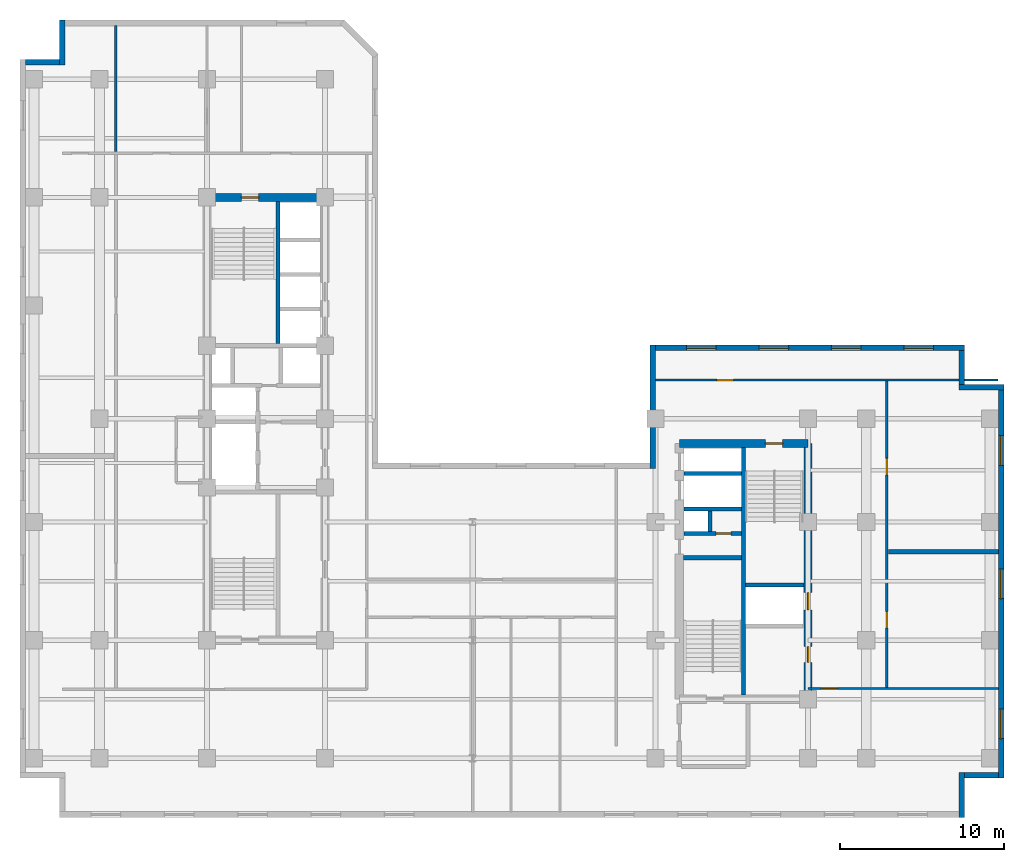
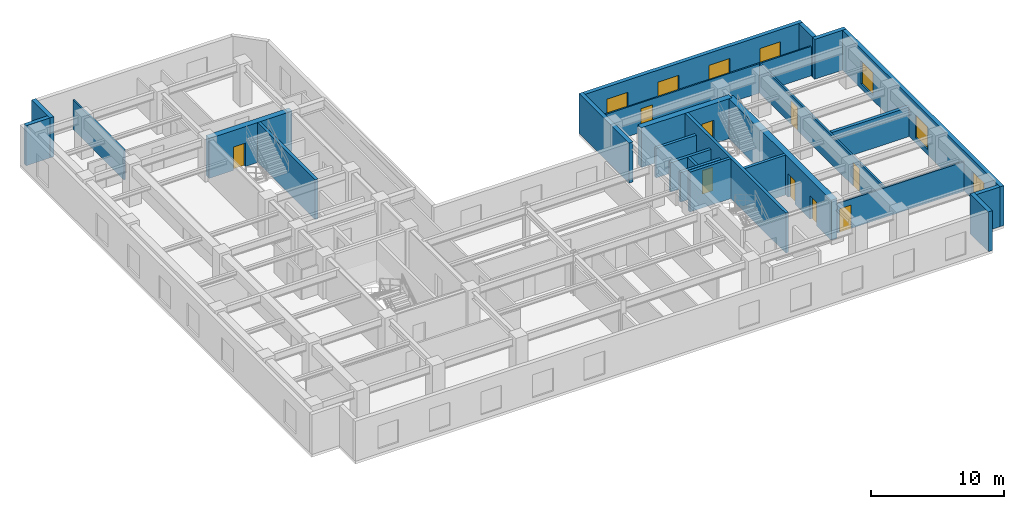
# One storey, part 5 of 9: 25 walls, 9 doors, 7 windows, 16 openings.
"""IFC4 building model written with IfcOpenShell, lengths in metres."""

from ifc_helpers import new_model, entity, si_unit, converted_unit, direction, frame, origin_with_axes, origin_2d_with_axis, place, context, subcontext, project, spatial, polyline, rectangle, outline, extrude, material, layer, layer_set, type_object, element, fill, save


model = new_model("IFC4")

# Units and contexts
model_context = context("Model", 3, precision=1e-05, world=origin_with_axes(), true_north=direction((0.0, 1.0)))
body_context = subcontext(model_context, "Body", "Model", "MODEL_VIEW")
ifc_project = project(units=[si_unit("LENGTHUNIT", "METRE"), si_unit("AREAUNIT", "SQUARE_METRE"), si_unit("VOLUMEUNIT", "CUBIC_METRE"), converted_unit("PLANEANGLEUNIT", "DEGREE", entity("IfcPlaneAngleMeasure", 0.017453292519943295), si_unit("PLANEANGLEUNIT", "RADIAN"), dimensions=[0, 0, 0, 0, 0, 0, 0]), si_unit("MASSUNIT", "GRAM", prefix="KILO"), si_unit("THERMODYNAMICTEMPERATUREUNIT", "KELVIN")], contexts=[model_context])

# Site, building, storey
site_placement = place(None, origin_with_axes())
site = spatial("IfcSite", under=ifc_project, at=site_placement, CompositionType="ELEMENT")
building_placement = place(site_placement, origin_with_axes())
building = spatial("IfcBuilding", under=site, at=building_placement, Name="Varnlund Millrace Tower", CompositionType="ELEMENT")
storey_placement = place(building_placement, frame((0.0, 0.0, 136.8), z_axis=(0.0, 0.0, 1.0), x_axis=(1.0, 0.0, 0.0)))
storey = spatial("IfcBuildingStorey", under=building, at=storey_placement, Name="L33", CompositionType="ELEMENT", Elevation=136.8)

# Wall, opening, door
ifc_material_1 = material(Name="Concrete C70/85", Category="concrete")
ifc_layer_1 = layer(ifc_material_1, 0.5, Name="Concrete C70/85")
ifc_layer_set_1 = layer_set([ifc_layer_1], Name="Concrete C70/85")
wall_type_1 = type_object("IfcWallType", Name="Type-CoreWall-Shear-500-C70", PredefinedType="SHEAR", material=ifc_layer_set_1)
wall_1_placement = place(storey_placement, frame((11.4, 37.8, 0.0), z_axis=(0.0, 0.0, 1.0), x_axis=(1.0, 0.0, 0.0)))
wall_1 = element("IfcWall", 1, at=wall_1_placement, inside=storey, type_object=wall_type_1, Name="Type-CoreWall-Shear-500-C70", PredefinedType="SHEAR", context=body_context, shape_type="SweptSolid", body=[
    extrude(outline(polyline([(0.0, -0.25), (7.2, -0.25), (7.2, 0.25), (0.0, 0.25), (0.0, -0.25)])), origin_with_axes(), (0.0, 0.0, 1.0), 3.66),
])
opening_1_placement = place(wall_1_placement, frame((2.625, 0.0, 0.0), z_axis=(0.0, 0.0, 1.0), x_axis=(1.0, 0.0, 0.0)))
opening_1 = element("IfcOpeningElement", 2, at=opening_1_placement, cuts=wall_1, Name="Opening L33:DR-STA2", PredefinedType="OPENING", context=body_context, shape_type="SweptSolid", body=[
    extrude(rectangle(XDim=1.05, YDim=0.52, at=origin_2d_with_axis()), origin_with_axes(), (0.0, 0.0, 1.0), 2.15),
])
ifc_material_2 = material(Name="Fire-rated hollow steel door", Category="steel")
door_type_1 = type_object("IfcDoorType", Name="Type-FireDoor-Stair-1050X2150", OperationType="NOTDEFINED", PredefinedType="DOOR", material=ifc_material_2)
door_1_placement = place(wall_1_placement, frame((2.625, 0.0, 0.0), z_axis=(0.0, 0.0, 1.0), x_axis=(1.0, 0.0, 0.0)))
door_1 = element("IfcDoor", 3, at=door_1_placement, inside=storey, type_object=door_type_1, Name="Type-FireDoor-Stair-1050X2150", OperationType="SINGLE_SWING_RIGHT", OverallHeight=2.15, OverallWidth=1.05, PredefinedType="DOOR", context=body_context, shape_type="SweptSolid", body=[
    extrude(rectangle(XDim=1.05, YDim=0.09, at=origin_2d_with_axis()), origin_with_axes(), (0.0, 0.0, 1.0), 2.15),
])
fill(opening_1, door_1)

wall_2_placement = place(storey_placement, frame((40.2, 22.8, 0.0), z_axis=(0.0, 0.0, 1.0), x_axis=(1.0, 0.0, 0.0)))
wall_2 = element("IfcWall", 4, at=wall_2_placement, inside=storey, type_object=wall_type_1, Name="Type-CoreWall-Shear-500-C70", PredefinedType="SHEAR", context=body_context, shape_type="SweptSolid", body=[
    extrude(outline(polyline([(0.0, -0.25), (7.85, -0.25), (7.85, 0.25), (0.0, 0.25), (0.0, -0.25)])), origin_with_axes(), (0.0, 0.0, 1.0), 3.66),
])
opening_2_placement = place(wall_2_placement, frame((5.775, 0.0, 0.0), z_axis=(0.0, 0.0, 1.0), x_axis=(1.0, 0.0, 0.0)))
opening_2 = element("IfcOpeningElement", 5, at=opening_2_placement, cuts=wall_2, Name="Opening L33:DR-STB2", PredefinedType="OPENING", context=body_context, shape_type="SweptSolid", body=[
    extrude(rectangle(XDim=1.05, YDim=0.52, at=origin_2d_with_axis()), origin_with_axes(), (0.0, 0.0, 1.0), 2.15),
])
door_2_placement = place(wall_2_placement, frame((5.775, 0.0, 0.0), z_axis=(0.0, 0.0, 1.0), x_axis=(1.0, 0.0, 0.0)))
door_2 = element("IfcDoor", 6, at=door_2_placement, inside=storey, type_object=door_type_1, Name="Type-FireDoor-Stair-1050X2150", OperationType="SINGLE_SWING_RIGHT", OverallHeight=2.15, OverallWidth=1.05, PredefinedType="DOOR", context=body_context, shape_type="SweptSolid", body=[
    extrude(rectangle(XDim=1.05, YDim=0.09, at=origin_2d_with_axis()), origin_with_axes(), (0.0, 0.0, 1.0), 2.15),
])
fill(opening_2, door_2)

# Wall, openings, doors
wall_3_placement = place(storey_placement, frame((48.05, 7.2, 0.0), z_axis=(0.0, 0.0, 1.0), x_axis=(0.0, 1.0, 0.0)))
wall_3 = element("IfcWall", 7, at=wall_3_placement, inside=storey, type_object=wall_type_1, Name="Type-CoreWall-Shear-500-C70", PredefinedType="SHEAR", context=body_context, shape_type="SweptSolid", body=[
    extrude(outline(polyline([(0.0, -0.25), (15.6, -0.25), (15.6, 0.25), (0.0, 0.25), (0.0, -0.25)])), origin_with_axes(), (0.0, 0.0, 1.0), 3.66),
])
opening_3_placement = place(wall_3_placement, frame((5.975, 0.0, 0.0), z_axis=(0.0, 0.0, 1.0), x_axis=(1.0, 0.0, 0.0)))
opening_3 = element("IfcOpeningElement", 8, at=opening_3_placement, cuts=wall_3, Name="Opening L33:LD-ELV-M3", PredefinedType="OPENING", context=body_context, shape_type="SweptSolid", body=[
    extrude(rectangle(XDim=1.05, YDim=0.52, at=origin_2d_with_axis()), origin_with_axes(), (0.0, 0.0, 1.0), 2.15),
])
opening_4_placement = place(wall_3_placement, frame((2.725, 0.0, 0.0), z_axis=(0.0, 0.0, 1.0), x_axis=(1.0, 0.0, 0.0)))
opening_4 = element("IfcOpeningElement", 9, at=opening_4_placement, cuts=wall_3, Name="Opening L33:DR-CB-WC", PredefinedType="OPENING", context=body_context, shape_type="SweptSolid", body=[
    extrude(rectangle(XDim=0.95, YDim=0.52, at=origin_2d_with_axis()), origin_with_axes(), (0.0, 0.0, 1.0), 2.15),
])
ifc_material_3 = material(Name="Fire-rated hollow steel core service door", Category="steel")
door_type_2 = type_object("IfcDoorType", Name="Type-FireDoor-Service-950X2150", OperationType="NOTDEFINED", PredefinedType="DOOR", material=ifc_material_3)
door_3_placement = place(wall_3_placement, frame((2.725, 0.0, 0.0), z_axis=(0.0, 0.0, 1.0), x_axis=(1.0, 0.0, 0.0)))
door_3 = element("IfcDoor", 10, at=door_3_placement, inside=storey, type_object=door_type_2, Name="Type-FireDoor-Service-950X2150", OperationType="SINGLE_SWING_LEFT", OverallHeight=2.15, OverallWidth=0.95, PredefinedType="DOOR", context=body_context, shape_type="SweptSolid", body=[
    extrude(rectangle(XDim=0.95, YDim=0.09, at=origin_2d_with_axis()), origin_with_axes(), (0.0, 0.0, 1.0), 2.15),
])
fill(opening_4, door_3)
ifc_material_4 = material(Name="Architectural bronze sliding landing door")
door_type_3 = type_object("IfcDoorType", Name="Type-LiftLandingDoor-Compact-1050X2150", OperationType="NOTDEFINED", PredefinedType="DOOR", material=ifc_material_4)
door_4_placement = place(wall_3_placement, frame((5.975, 0.0, 0.0), z_axis=(0.0, 0.0, 1.0), x_axis=(1.0, 0.0, 0.0)))
door_4 = element("IfcDoor", 11, at=door_4_placement, inside=storey, type_object=door_type_3, Name="Type-LiftLandingDoor-Compact-1050X2150", OperationType="SLIDING_TO_LEFT", OverallHeight=2.15, OverallWidth=1.05, PredefinedType="DOOR", context=body_context, shape_type="SweptSolid", body=[
    extrude(rectangle(XDim=1.05, YDim=0.09, at=origin_2d_with_axis()), origin_with_axes(), (0.0, 0.0, 1.0), 2.15),
])
fill(opening_3, door_4)

# Wall
ifc_material_5 = material(Name="Precast concrete C50/60", Category="concrete")
ifc_layer_2 = layer(ifc_material_5, 0.34, Name="Precast concrete C50/60")
ifc_layer_set_2 = layer_set([ifc_layer_2], Name="Precast concrete C50/60")
wall_type_2 = type_object("IfcWallType", Name="Type-ExtWall-Precast-Upper-340", PredefinedType="SOLIDWALL", material=ifc_layer_set_2)
wall_4_placement = place(storey_placement, frame((38.57, 21.26, 0.0), z_axis=(0.0, 0.0, 1.0), x_axis=(0.0, 1.0, 0.0)))
element("IfcWall", 12, at=wall_4_placement, inside=storey, type_object=wall_type_2, Name="Type-ExtWall-Precast-Upper-340", PredefinedType="SOLIDWALL", context=body_context, shape_type="SweptSolid", body=[
    extrude(outline(polyline([(0.0, -0.17), (7.54, -0.17), (7.54, 0.17), (0.0, 0.17), (0.0, -0.17)])), origin_with_axes(), (0.0, 0.0, 1.0), 3.66),
])

# Wall, openings, windows
wall_5_placement = place(storey_placement, frame((38.74, 28.63, 0.0), z_axis=(0.0, 0.0, 1.0), x_axis=(1.0, 0.0, 0.0)))
wall_5 = element("IfcWall", 13, at=wall_5_placement, inside=storey, type_object=wall_type_2, Name="Type-ExtWall-Precast-Upper-340", PredefinedType="SOLIDWALL", context=body_context, shape_type="SweptSolid", body=[
    extrude(outline(polyline([(0.0, -0.17), (18.86, -0.17), (18.86, 0.17), (0.0, 0.17), (0.0, -0.17)])), origin_with_axes(), (0.0, 0.0, 1.0), 3.66),
])
opening_5_placement = place(wall_5_placement, frame((2.808, 0.0, 0.45), z_axis=(0.0, 0.0, 1.0), x_axis=(1.0, 0.0, 0.0)))
opening_5 = element("IfcOpeningElement", 14, at=opening_5_placement, cuts=wall_5, Name="Opening L33:WN-01", PredefinedType="OPENING", context=body_context, shape_type="SweptSolid", body=[
    extrude(rectangle(XDim=1.8, YDim=0.36, at=origin_2d_with_axis()), origin_with_axes(), (0.0, 0.0, 1.0), 2.1),
])
opening_6_placement = place(wall_5_placement, frame((7.222, 0.0, 0.45), z_axis=(0.0, 0.0, 1.0), x_axis=(1.0, 0.0, 0.0)))
opening_6 = element("IfcOpeningElement", 15, at=opening_6_placement, cuts=wall_5, Name="Opening L33:WN-02", PredefinedType="OPENING", context=body_context, shape_type="SweptSolid", body=[
    extrude(rectangle(XDim=1.8, YDim=0.36, at=origin_2d_with_axis()), origin_with_axes(), (0.0, 0.0, 1.0), 2.1),
])
opening_7_placement = place(wall_5_placement, frame((11.637, 0.0, 0.45), z_axis=(0.0, 0.0, 1.0), x_axis=(1.0, 0.0, 0.0)))
opening_7 = element("IfcOpeningElement", 16, at=opening_7_placement, cuts=wall_5, Name="Opening L33:WN-03", PredefinedType="OPENING", context=body_context, shape_type="SweptSolid", body=[
    extrude(rectangle(XDim=1.8, YDim=0.36, at=origin_2d_with_axis()), origin_with_axes(), (0.0, 0.0, 1.0), 2.1),
])
opening_8_placement = place(wall_5_placement, frame((16.053, 0.0, 0.45), z_axis=(0.0, 0.0, 1.0), x_axis=(1.0, 0.0, 0.0)))
opening_8 = element("IfcOpeningElement", 17, at=opening_8_placement, cuts=wall_5, Name="Opening L33:WN-04", PredefinedType="OPENING", context=body_context, shape_type="SweptSolid", body=[
    extrude(rectangle(XDim=1.8, YDim=0.36, at=origin_2d_with_axis()), origin_with_axes(), (0.0, 0.0, 1.0), 2.1),
])
ifc_material_6 = material(Name="Argon low-e triple glazing in thermally broken bronze frame", Category="glass")
window_type = type_object("IfcWindowType", Name="Type-Window-Punched-1800X2100", PartitioningType="SINGLE_PANEL", PredefinedType="WINDOW", material=ifc_material_6)
window_1_placement = place(wall_5_placement, frame((2.808, 0.0, 0.45), z_axis=(0.0, 0.0, 1.0), x_axis=(1.0, 0.0, 0.0)))
window_1 = element("IfcWindow", 18, at=window_1_placement, inside=storey, type_object=window_type, Name="Type-Window-Punched-1800X2100", OverallHeight=2.1, OverallWidth=1.8, PredefinedType="WINDOW", context=body_context, shape_type="SweptSolid", body=[
    extrude(rectangle(XDim=1.8, YDim=0.09, at=origin_2d_with_axis()), origin_with_axes(), (0.0, 0.0, 1.0), 2.1),
])
fill(opening_5, window_1)
window_2_placement = place(wall_5_placement, frame((7.222, 0.0, 0.45), z_axis=(0.0, 0.0, 1.0), x_axis=(1.0, 0.0, 0.0)))
window_2 = element("IfcWindow", 19, at=window_2_placement, inside=storey, type_object=window_type, Name="Type-Window-Punched-1800X2100", OverallHeight=2.1, OverallWidth=1.8, PredefinedType="WINDOW", context=body_context, shape_type="SweptSolid", body=[
    extrude(rectangle(XDim=1.8, YDim=0.09, at=origin_2d_with_axis()), origin_with_axes(), (0.0, 0.0, 1.0), 2.1),
])
fill(opening_6, window_2)
window_3_placement = place(wall_5_placement, frame((11.637, 0.0, 0.45), z_axis=(0.0, 0.0, 1.0), x_axis=(1.0, 0.0, 0.0)))
window_3 = element("IfcWindow", 20, at=window_3_placement, inside=storey, type_object=window_type, Name="Type-Window-Punched-1800X2100", OverallHeight=2.1, OverallWidth=1.8, PredefinedType="WINDOW", context=body_context, shape_type="SweptSolid", body=[
    extrude(rectangle(XDim=1.8, YDim=0.09, at=origin_2d_with_axis()), origin_with_axes(), (0.0, 0.0, 1.0), 2.1),
])
fill(opening_7, window_3)
window_4_placement = place(wall_5_placement, frame((16.053, 0.0, 0.45), z_axis=(0.0, 0.0, 1.0), x_axis=(1.0, 0.0, 0.0)))
window_4 = element("IfcWindow", 21, at=window_4_placement, inside=storey, type_object=window_type, Name="Type-Window-Punched-1800X2100", OverallHeight=2.1, OverallWidth=1.8, PredefinedType="WINDOW", context=body_context, shape_type="SweptSolid", body=[
    extrude(rectangle(XDim=1.8, YDim=0.09, at=origin_2d_with_axis()), origin_with_axes(), (0.0, 0.0, 1.0), 2.1),
])
fill(opening_8, window_4)

# Walls
wall_6_placement = place(storey_placement, frame((57.43, 28.46, 0.0), z_axis=(0.0, 0.0, 1.0), x_axis=(0.0, -1.0, 0.0)))
element("IfcWall", 22, at=wall_6_placement, inside=storey, type_object=wall_type_2, Name="Type-ExtWall-Precast-Upper-340", PredefinedType="SOLIDWALL", context=body_context, shape_type="SweptSolid", body=[
    extrude(outline(polyline([(0.0, -0.17), (2.06, -0.17), (2.06, 0.17), (0.0, 0.17), (0.0, -0.17)])), origin_with_axes(), (0.0, 0.0, 1.0), 3.66),
])
wall_7_placement = place(storey_placement, frame((57.26, 26.23, 0.0), z_axis=(0.0, 0.0, 1.0), x_axis=(1.0, 0.0, 0.0)))
element("IfcWall", 23, at=wall_7_placement, inside=storey, type_object=wall_type_2, Name="Type-ExtWall-Precast-Upper-340", PredefinedType="SOLIDWALL", context=body_context, shape_type="SweptSolid", body=[
    extrude(outline(polyline([(0.0, -0.17), (2.74, -0.17), (2.74, 0.17), (0.0, 0.17), (0.0, -0.17)])), origin_with_axes(), (0.0, 0.0, 1.0), 3.66),
])

# Wall, openings, windows
wall_8_placement = place(storey_placement, frame((59.83, 26.06, 0.0), z_axis=(0.0, 0.0, 1.0), x_axis=(0.0, -1.0, 0.0)))
wall_8 = element("IfcWall", 24, at=wall_8_placement, inside=storey, type_object=wall_type_2, Name="Type-ExtWall-Precast-Upper-340", PredefinedType="SOLIDWALL", context=body_context, shape_type="SweptSolid", body=[
    extrude(outline(polyline([(0.0, -0.17), (23.66, -0.17), (23.66, 0.17), (0.0, 0.17), (0.0, -0.17)])), origin_with_axes(), (0.0, 0.0, 1.0), 3.66),
])
opening_9_placement = place(wall_8_placement, frame((3.696, 0.0, 0.45), z_axis=(0.0, 0.0, 1.0), x_axis=(1.0, 0.0, 0.0)))
opening_9 = element("IfcOpeningElement", 25, at=opening_9_placement, cuts=wall_8, Name="Opening L33:WN-05", PredefinedType="OPENING", context=body_context, shape_type="SweptSolid", body=[
    extrude(rectangle(XDim=1.8, YDim=0.36, at=origin_2d_with_axis()), origin_with_axes(), (0.0, 0.0, 1.0), 2.1),
])
opening_10_placement = place(wall_8_placement, frame((11.83, 0.0, 0.45), z_axis=(0.0, 0.0, 1.0), x_axis=(1.0, 0.0, 0.0)))
opening_10 = element("IfcOpeningElement", 26, at=opening_10_placement, cuts=wall_8, Name="Opening L33:WN-06", PredefinedType="OPENING", context=body_context, shape_type="SweptSolid", body=[
    extrude(rectangle(XDim=1.8, YDim=0.36, at=origin_2d_with_axis()), origin_with_axes(), (0.0, 0.0, 1.0), 2.1),
])
opening_11_placement = place(wall_8_placement, frame((20.364, 0.0, 0.45), z_axis=(0.0, 0.0, 1.0), x_axis=(1.0, 0.0, 0.0)))
opening_11 = element("IfcOpeningElement", 27, at=opening_11_placement, cuts=wall_8, Name="Opening L33:WN-07", PredefinedType="OPENING", context=body_context, shape_type="SweptSolid", body=[
    extrude(rectangle(XDim=1.8, YDim=0.36, at=origin_2d_with_axis()), origin_with_axes(), (0.0, 0.0, 1.0), 2.1),
])
window_5_placement = place(wall_8_placement, frame((3.696, 0.0, 0.45), z_axis=(0.0, 0.0, 1.0), x_axis=(1.0, 0.0, 0.0)))
window_5 = element("IfcWindow", 28, at=window_5_placement, inside=storey, type_object=window_type, Name="Type-Window-Punched-1800X2100", OverallHeight=2.1, OverallWidth=1.8, PredefinedType="WINDOW", context=body_context, shape_type="SweptSolid", body=[
    extrude(rectangle(XDim=1.8, YDim=0.09, at=origin_2d_with_axis()), origin_with_axes(), (0.0, 0.0, 1.0), 2.1),
])
fill(opening_9, window_5)
window_6_placement = place(wall_8_placement, frame((11.83, 0.0, 0.45), z_axis=(0.0, 0.0, 1.0), x_axis=(1.0, 0.0, 0.0)))
window_6 = element("IfcWindow", 29, at=window_6_placement, inside=storey, type_object=window_type, Name="Type-Window-Punched-1800X2100", OverallHeight=2.1, OverallWidth=1.8, PredefinedType="WINDOW", context=body_context, shape_type="SweptSolid", body=[
    extrude(rectangle(XDim=1.8, YDim=0.09, at=origin_2d_with_axis()), origin_with_axes(), (0.0, 0.0, 1.0), 2.1),
])
fill(opening_10, window_6)
window_7_placement = place(wall_8_placement, frame((20.364, 0.0, 0.45), z_axis=(0.0, 0.0, 1.0), x_axis=(1.0, 0.0, 0.0)))
window_7 = element("IfcWindow", 30, at=window_7_placement, inside=storey, type_object=window_type, Name="Type-Window-Punched-1800X2100", OverallHeight=2.1, OverallWidth=1.8, PredefinedType="WINDOW", context=body_context, shape_type="SweptSolid", body=[
    extrude(rectangle(XDim=1.8, YDim=0.09, at=origin_2d_with_axis()), origin_with_axes(), (0.0, 0.0, 1.0), 2.1),
])
fill(opening_11, window_7)

# Walls
wall_9_placement = place(storey_placement, frame((59.66, 2.57, 0.0), z_axis=(0.0, 0.0, 1.0), x_axis=(-1.0, 0.0, 0.0)))
element("IfcWall", 31, at=wall_9_placement, inside=storey, type_object=wall_type_2, Name="Type-ExtWall-Precast-Upper-340", PredefinedType="SOLIDWALL", context=body_context, shape_type="SweptSolid", body=[
    extrude(outline(polyline([(0.0, -0.17), (2.06, -0.17), (2.06, 0.17), (0.0, 0.17), (0.0, -0.17)])), origin_with_axes(), (0.0, 0.0, 1.0), 3.66),
])
wall_10_placement = place(storey_placement, frame((57.43, 2.74, 0.0), z_axis=(0.0, 0.0, 1.0), x_axis=(0.0, -1.0, 0.0)))
element("IfcWall", 32, at=wall_10_placement, inside=storey, type_object=wall_type_2, Name="Type-ExtWall-Precast-Upper-340", PredefinedType="SOLIDWALL", context=body_context, shape_type="SweptSolid", body=[
    extrude(outline(polyline([(0.0, -0.17), (2.74, -0.17), (2.74, 0.17), (0.0, 0.17), (0.0, -0.17)])), origin_with_axes(), (0.0, 0.0, 1.0), 3.66),
])
wall_11_placement = place(storey_placement, frame((0.34, 46.03, 0.0), z_axis=(0.0, 0.0, 1.0), x_axis=(1.0, 0.0, 0.0)))
element("IfcWall", 33, at=wall_11_placement, inside=storey, type_object=wall_type_2, Name="Type-ExtWall-Precast-Upper-340", PredefinedType="SOLIDWALL", context=body_context, shape_type="SweptSolid", body=[
    extrude(outline(polyline([(0.0, -0.17), (2.06, -0.17), (2.06, 0.17), (0.0, 0.17), (0.0, -0.17)])), origin_with_axes(), (0.0, 0.0, 1.0), 3.66),
])
wall_12_placement = place(storey_placement, frame((2.57, 45.86, 0.0), z_axis=(0.0, 0.0, 1.0), x_axis=(0.0, 1.0, 0.0)))
element("IfcWall", 34, at=wall_12_placement, inside=storey, type_object=wall_type_2, Name="Type-ExtWall-Precast-Upper-340", PredefinedType="SOLIDWALL", context=body_context, shape_type="SweptSolid", body=[
    extrude(outline(polyline([(0.0, -0.17), (2.74, -0.17), (2.74, 0.17), (0.0, 0.17), (0.0, -0.17)])), origin_with_axes(), (0.0, 0.0, 1.0), 3.66),
])
ifc_material_7 = material(Name="Double-stud STC-60 conference acoustic partition", Category="gypsum")
ifc_layer_3 = layer(ifc_material_7, 0.28, Name="Double-stud STC-60 conference acoustic partition")
ifc_layer_set_3 = layer_set([ifc_layer_3], Name="Double-stud STC-60 conference acoustic partition")
wall_type_3 = type_object("IfcWallType", Name="Type-Partition-Acoustic-280", PredefinedType="PARTITIONING", material=ifc_layer_set_3)
wall_13_placement = place(storey_placement, frame((52.97, 16.18, 0.0), z_axis=(0.0, 0.0, 1.0), x_axis=(1.0, 0.0, 0.0)))
element("IfcWall", 35, at=wall_13_placement, inside=storey, type_object=wall_type_3, Name="Type-Partition-Acoustic-280", PredefinedType="PARTITIONING", context=body_context, shape_type="SweptSolid", body=[
    extrude(outline(polyline([(0.0, -0.14), (6.695, -0.14), (6.695, 0.14), (0.0, 0.14), (0.0, -0.14)])), origin_with_axes(), (0.0, 0.0, 1.0), 2.7),
])

# Wall, openings, doors
ifc_material_8 = material(Name="Fire-rated gypsum board on cold-formed steel framing", Category="steel")
ifc_layer_4 = layer(ifc_material_8, 0.16, Name="Fire-rated gypsum board on cold-formed steel framing")
ifc_layer_set_4 = layer_set([ifc_layer_4], Name="Fire-rated gypsum board on cold-formed steel framing")
wall_type_4 = type_object("IfcWallType", Name="Type-Partition-Corridor-160", PredefinedType="PARTITIONING", material=ifc_layer_set_4)
wall_14_placement = place(storey_placement, frame((52.85, 7.85, 0.0), z_axis=(0.0, 0.0, 1.0), x_axis=(0.0, 1.0, 0.0)))
wall_14 = element("IfcWall", 36, at=wall_14_placement, inside=storey, type_object=wall_type_4, Name="Type-Partition-Corridor-160", PredefinedType="PARTITIONING", context=body_context, shape_type="SweptSolid", body=[
    extrude(outline(polyline([(0.0, -0.08), (18.8, -0.08), (18.8, 0.08), (0.0, 0.08), (0.0, -0.08)])), origin_with_axes(), (0.0, 0.0, 1.0), 2.7),
])
opening_12_placement = place(wall_14_placement, frame((4.195, 0.0, 0.0), z_axis=(0.0, 0.0, 1.0), x_axis=(1.0, 0.0, 0.0)))
opening_12 = element("IfcOpeningElement", 37, at=opening_12_placement, cuts=wall_14, Name="Opening L33:DR-WB-01", PredefinedType="OPENING", context=body_context, shape_type="SweptSolid", body=[
    extrude(rectangle(XDim=1.0, YDim=0.18, at=origin_2d_with_axis()), origin_with_axes(), (0.0, 0.0, 1.0), 2.15),
])
opening_13_placement = place(wall_14_placement, frame((13.535, 0.0, 0.0), z_axis=(0.0, 0.0, 1.0), x_axis=(1.0, 0.0, 0.0)))
opening_13 = element("IfcOpeningElement", 38, at=opening_13_placement, cuts=wall_14, Name="Opening L33:DR-WB-02", PredefinedType="OPENING", context=body_context, shape_type="SweptSolid", body=[
    extrude(rectangle(XDim=1.0, YDim=0.18, at=origin_2d_with_axis()), origin_with_axes(), (0.0, 0.0, 1.0), 2.15),
])
ifc_material_9 = material(Name="Solid-core white oak and bronze frame door")
door_type_4 = type_object("IfcDoorType", Name="Type-IntDoor-Office-1000X2150", OperationType="NOTDEFINED", PredefinedType="DOOR", material=ifc_material_9)
door_5_placement = place(wall_14_placement, frame((4.195, 0.0, 0.0), z_axis=(0.0, 0.0, 1.0), x_axis=(1.0, 0.0, 0.0)))
door_5 = element("IfcDoor", 39, at=door_5_placement, inside=storey, type_object=door_type_4, Name="Type-IntDoor-Office-1000X2150", OperationType="SINGLE_SWING_LEFT", OverallHeight=2.15, OverallWidth=1.0, PredefinedType="DOOR", context=body_context, shape_type="SweptSolid", body=[
    extrude(rectangle(XDim=1.0, YDim=0.09, at=origin_2d_with_axis()), origin_with_axes(), (0.0, 0.0, 1.0), 2.15),
])
fill(opening_12, door_5)
door_6_placement = place(wall_14_placement, frame((13.535, 0.0, 0.0), z_axis=(0.0, 0.0, 1.0), x_axis=(1.0, 0.0, 0.0)))
door_6 = element("IfcDoor", 40, at=door_6_placement, inside=storey, type_object=door_type_4, Name="Type-IntDoor-Office-1000X2150", OperationType="SINGLE_SWING_RIGHT", OverallHeight=2.15, OverallWidth=1.0, PredefinedType="DOOR", context=body_context, shape_type="SweptSolid", body=[
    extrude(rectangle(XDim=1.0, YDim=0.09, at=origin_2d_with_axis()), origin_with_axes(), (0.0, 0.0, 1.0), 2.15),
])
fill(opening_13, door_6)

# Wall
ifc_material_10 = material(Name="Acoustic STC-50 gypsum board partition", Category="gypsum")
ifc_layer_5 = layer(ifc_material_10, 0.15, Name="Acoustic STC-50 gypsum board partition")
ifc_layer_set_5 = layer_set([ifc_layer_5], Name="Acoustic STC-50 gypsum board partition")
wall_type_5 = type_object("IfcWallType", Name="Type-Partition-Demising-150", PredefinedType="PARTITIONING", material=ifc_layer_set_5)
wall_15_placement = place(storey_placement, frame((5.845, 40.6, 0.0), z_axis=(0.0, 0.0, 1.0), x_axis=(0.0, 1.0, 0.0)))
element("IfcWall", 41, at=wall_15_placement, inside=storey, type_object=wall_type_5, Name="Type-Partition-Demising-150", PredefinedType="PARTITIONING", context=body_context, shape_type="SweptSolid", body=[
    extrude(outline(polyline([(0.0, -0.075), (7.665, -0.075), (7.665, 0.075), (0.0, 0.075), (0.0, -0.075)])), origin_with_axes(), (0.0, 0.0, 1.0), 2.7),
])

# Wall, opening, door
ifc_material_11 = material(Name="Gypsum board tenant partition", Category="gypsum")
ifc_layer_6 = layer(ifc_material_11, 0.125, Name="Gypsum board tenant partition")
ifc_layer_set_6 = layer_set([ifc_layer_6], Name="Gypsum board tenant partition")
wall_type_6 = type_object("IfcWallType", Name="Type-Partition-Tenant-125", PredefinedType="PARTITIONING", material=ifc_layer_set_6)
wall_16_placement = place(storey_placement, frame((59.665, 7.85, 0.0), z_axis=(0.0, 0.0, 1.0), x_axis=(-1.0, 0.0, 0.0)))
wall_16 = element("IfcWall", 42, at=wall_16_placement, inside=storey, type_object=wall_type_6, Name="Type-Partition-Tenant-125", PredefinedType="PARTITIONING", context=body_context, shape_type="SweptSolid", body=[
    extrude(outline(polyline([(0.0, -0.0625), (11.615, -0.0625), (11.615, 0.0625), (0.0, 0.0625), (0.0, -0.0625)])), origin_with_axes(), (0.0, 0.0, 1.0), 2.7),
])
opening_14_placement = place(wall_16_placement, frame((10.315, 0.0, 0.0), z_axis=(0.0, 0.0, 1.0), x_axis=(1.0, 0.0, 0.0)))
opening_14 = element("IfcOpeningElement", 43, at=opening_14_placement, cuts=wall_16, Name="Opening L33:DR-WBS-01", PredefinedType="OPENING", context=body_context, shape_type="SweptSolid", body=[
    extrude(rectangle(XDim=1.0, YDim=0.145, at=origin_2d_with_axis()), origin_with_axes(), (0.0, 0.0, 1.0), 2.15),
])
door_7_placement = place(wall_16_placement, frame((10.315, 0.0, 0.0), z_axis=(0.0, 0.0, 1.0), x_axis=(1.0, 0.0, 0.0)))
door_7 = element("IfcDoor", 44, at=door_7_placement, inside=storey, type_object=door_type_4, Name="Type-IntDoor-Office-1000X2150", OperationType="SINGLE_SWING_LEFT", OverallHeight=2.15, OverallWidth=1.0, PredefinedType="DOOR", context=body_context, shape_type="SweptSolid", body=[
    extrude(rectangle(XDim=1.0, YDim=0.075, at=origin_2d_with_axis()), origin_with_axes(), (0.0, 0.0, 1.0), 2.15),
])
fill(opening_14, door_7)

wall_17_placement = place(storey_placement, frame((38.735, 26.65, 0.0), z_axis=(0.0, 0.0, 1.0), x_axis=(1.0, 0.0, 0.0)))
wall_17 = element("IfcWall", 45, at=wall_17_placement, inside=storey, type_object=wall_type_6, Name="Type-Partition-Tenant-125", PredefinedType="PARTITIONING", context=body_context, shape_type="SweptSolid", body=[
    extrude(outline(polyline([(0.0, -0.0625), (20.905, -0.0625), (20.905, 0.0625), (0.0, 0.0625), (0.0, -0.0625)])), origin_with_axes(), (0.0, 0.0, 1.0), 2.7),
])
opening_15_placement = place(wall_17_placement, frame((4.265, 0.0, 0.0), z_axis=(0.0, 0.0, 1.0), x_axis=(1.0, 0.0, 0.0)))
opening_15 = element("IfcOpeningElement", 46, at=opening_15_placement, cuts=wall_17, Name="Opening L33:DR-WBN-01", PredefinedType="OPENING", context=body_context, shape_type="SweptSolid", body=[
    extrude(rectangle(XDim=1.0, YDim=0.145, at=origin_2d_with_axis()), origin_with_axes(), (0.0, 0.0, 1.0), 2.15),
])
door_8_placement = place(wall_17_placement, frame((4.265, 0.0, 0.0), z_axis=(0.0, 0.0, 1.0), x_axis=(1.0, 0.0, 0.0)))
door_8 = element("IfcDoor", 47, at=door_8_placement, inside=storey, type_object=door_type_4, Name="Type-IntDoor-Office-1000X2150", OperationType="SINGLE_SWING_RIGHT", OverallHeight=2.15, OverallWidth=1.0, PredefinedType="DOOR", context=body_context, shape_type="SweptSolid", body=[
    extrude(rectangle(XDim=1.0, YDim=0.075, at=origin_2d_with_axis()), origin_with_axes(), (0.0, 0.0, 1.0), 2.15),
])
fill(opening_15, door_8)

ifc_material_12 = material(Name="Concrete C60/75", Category="concrete")
ifc_layer_7 = layer(ifc_material_12, 0.25, Name="Concrete C60/75")
ifc_layer_set_7 = layer_set([ifc_layer_7], Name="Concrete C60/75")
wall_type_7 = type_object("IfcWallType", Name="Type-ShaftWall-Fire-250", PredefinedType="SOLIDWALL", material=ifc_layer_set_7)
wall_18_placement = place(storey_placement, frame((40.5, 17.3, 0.0), z_axis=(0.0, 0.0, 1.0), x_axis=(1.0, 0.0, 0.0)))
wall_18 = element("IfcWall", 48, at=wall_18_placement, inside=storey, type_object=wall_type_7, Name="Type-ShaftWall-Fire-250", PredefinedType="SOLIDWALL", context=body_context, shape_type="SweptSolid", body=[
    extrude(outline(polyline([(0.0, -0.125), (3.5, -0.125), (3.5, 0.125), (0.0, 0.125), (0.0, -0.125)])), origin_with_axes(), (0.0, 0.0, 1.0), 2.7),
])
opening_16_placement = place(wall_18_placement, frame((2.4, 0.0, 0.0), z_axis=(0.0, 0.0, 1.0), x_axis=(1.0, 0.0, 0.0)))
opening_16 = element("IfcOpeningElement", 49, at=opening_16_placement, cuts=wall_18, Name="Opening L33:DR-CB-ELC", PredefinedType="OPENING", context=body_context, shape_type="SweptSolid", body=[
    extrude(rectangle(XDim=0.9, YDim=0.27, at=origin_2d_with_axis()), origin_with_axes(), (0.0, 0.0, 1.0), 2.15),
])
ifc_material_13 = material(Name="Fire-rated hollow steel service closet door", Category="steel")
door_type_5 = type_object("IfcDoorType", Name="Type-FireDoor-Closet-900X2150", OperationType="NOTDEFINED", PredefinedType="DOOR", material=ifc_material_13)
door_9_placement = place(wall_18_placement, frame((2.4, 0.0, 0.0), z_axis=(0.0, 0.0, 1.0), x_axis=(1.0, 0.0, 0.0)))
door_9 = element("IfcDoor", 50, at=door_9_placement, inside=storey, type_object=door_type_5, Name="Type-FireDoor-Closet-900X2150", OperationType="SINGLE_SWING_LEFT", OverallHeight=2.15, OverallWidth=0.9, PredefinedType="DOOR", context=body_context, shape_type="SweptSolid", body=[
    extrude(rectangle(XDim=0.9, YDim=0.09, at=origin_2d_with_axis()), origin_with_axes(), (0.0, 0.0, 1.0), 2.15),
])
fill(opening_16, door_9)

# Walls
wall_19_placement = place(storey_placement, frame((40.5, 18.8, 0.0), z_axis=(0.0, 0.0, 1.0), x_axis=(1.0, 0.0, 0.0)))
element("IfcWall", 51, at=wall_19_placement, inside=storey, type_object=wall_type_7, Name="Type-ShaftWall-Fire-250", PredefinedType="SOLIDWALL", context=body_context, shape_type="SweptSolid", body=[
    extrude(outline(polyline([(0.0, -0.125), (3.5, -0.125), (3.5, 0.125), (0.0, 0.125), (0.0, -0.125)])), origin_with_axes(), (0.0, 0.0, 1.0), 2.7),
])
wall_20_placement = place(storey_placement, frame((42.075, 17.43, 0.0), z_axis=(0.0, 0.0, 1.0), x_axis=(0.0, 1.0, 0.0)))
element("IfcWall", 52, at=wall_20_placement, inside=storey, type_object=wall_type_7, Name="Type-ShaftWall-Fire-250", PredefinedType="SOLIDWALL", context=body_context, shape_type="SweptSolid", body=[
    extrude(outline(polyline([(0.0, -0.125), (1.24, -0.125), (1.24, 0.125), (0.0, 0.125), (0.0, -0.125)])), origin_with_axes(), (0.0, 0.0, 1.0), 2.7),
])
wall_21_placement = place(storey_placement, frame((40.5, 20.96, 0.0), z_axis=(0.0, 0.0, 1.0), x_axis=(1.0, 0.0, 0.0)))
element("IfcWall", 53, at=wall_21_placement, inside=storey, type_object=wall_type_7, Name="Type-ShaftWall-Fire-250", PredefinedType="SOLIDWALL", context=body_context, shape_type="SweptSolid", body=[
    extrude(outline(polyline([(0.0, -0.125), (3.5, -0.125), (3.5, 0.125), (0.0, 0.125), (0.0, -0.125)])), origin_with_axes(), (0.0, 0.0, 1.0), 2.7),
])
wall_type_8 = type_object("IfcWallType", Name="Type-StairWall-Shear-250", PredefinedType="SHEAR", material=ifc_layer_set_7)
wall_22_placement = place(storey_placement, frame((15.725, 28.9, 0.0), z_axis=(0.0, 0.0, 1.0), x_axis=(0.0, 1.0, 0.0)))
element("IfcWall", 54, at=wall_22_placement, inside=storey, type_object=wall_type_8, Name="Type-StairWall-Shear-250", PredefinedType="SHEAR", context=body_context, shape_type="SweptSolid", body=[
    extrude(outline(polyline([(0.0, -0.125), (8.65, -0.125), (8.65, 0.125), (0.0, 0.125), (0.0, -0.125)])), origin_with_axes(), (0.0, 0.0, 1.0), 3.66),
])
wall_23_placement = place(storey_placement, frame((44.125, 7.45, 0.0), z_axis=(0.0, 0.0, 1.0), x_axis=(0.0, 1.0, 0.0)))
element("IfcWall", 55, at=wall_23_placement, inside=storey, type_object=wall_type_8, Name="Type-StairWall-Shear-250", PredefinedType="SHEAR", context=body_context, shape_type="SweptSolid", body=[
    extrude(outline(polyline([(0.0, -0.125), (15.1, -0.125), (15.1, 0.125), (0.0, 0.125), (0.0, -0.125)])), origin_with_axes(), (0.0, 0.0, 1.0), 3.66),
])
for number, where, z_axis, x_axis, name in (
    (56, (40.45, 15.825, 0.0), (0.0, 0.0, 1.0), (1.0, 0.0, 0.0), "Type-StairWall-Shear-250"),
    (57, (44.25, 14.175, 0.0), (0.0, 0.0, 1.0), (1.0, 0.0, 0.0), "Type-StairWall-Shear-250"),
):
    element("IfcWall", number, at=place(storey_placement, frame(where, z_axis=z_axis, x_axis=x_axis)), inside=storey, type_object=wall_type_8, Name=name, PredefinedType="SHEAR", context=body_context, shape_type="SweptSolid", body=[
        extrude(outline(polyline([(0.0, -0.125), (3.55, -0.125), (3.55, 0.125), (0.0, 0.125), (0.0, -0.125)])), origin_with_axes(), (0.0, 0.0, 1.0), 3.66),
    ])

save(model, "model.ifc")
